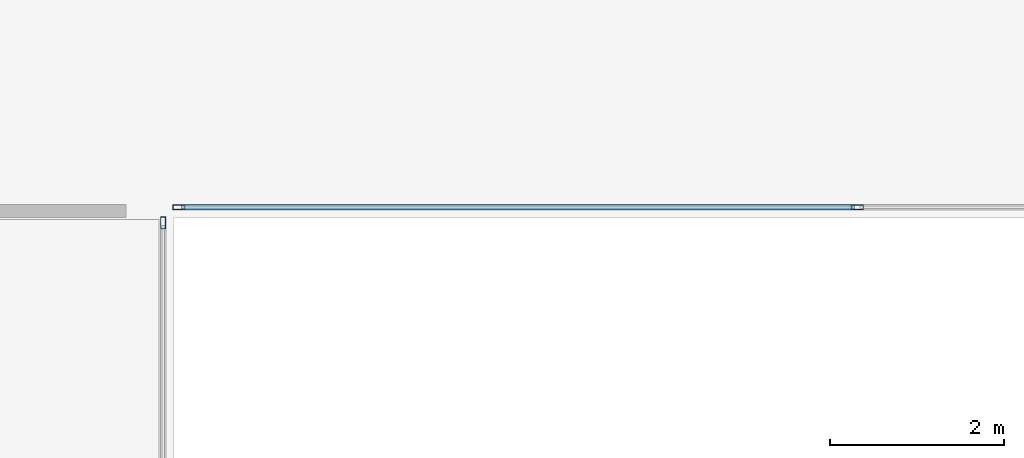
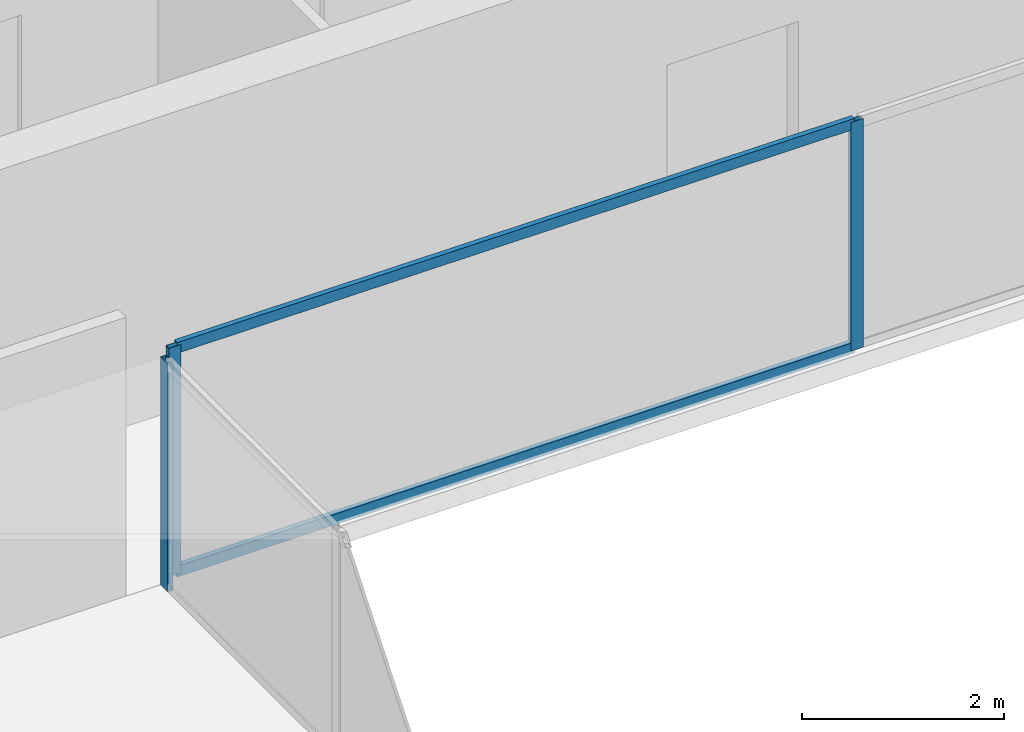
# One storey, part 10 of 29: 5 members, 2 elements without a shape of their own.
"""IFC4 building model written with IfcOpenShell, lengths in metres."""

import ifcopenshell
import ifcopenshell.guid

model = None  # the IFC model being written
_history = None  # IfcOwnerHistory: only IFC2X3 demands one
_inside = {}  # id of a spatial element -> (the spatial element, [elements in it])
_under = {}  # id of a project, library or spatial element -> (it, [spatial elements below it])
_declared = {}  # id of a project -> (the project, [libraries it declares])
_typed = {}  # id of a type object -> (the type object, [elements of that type])
_made_of = {}  # id of a material, layer set ... -> (it, [elements and type objects made of it])


def new_model(schema):
    """Start an empty IFC model of exactly this schema.

    Asked for "IFC4X3", IfcOpenShell would pick the latest addendum, in which some entities
    have other attributes; the version numbers below select the first issue.
    IFC2X3 requires an IfcOwnerHistory on every rooted entity: one is made here for all.
    """
    global model, _history
    if schema == "IFC4X3":
        model = ifcopenshell.file(schema_version=(4, 3, 0, 0))
    else:
        model = ifcopenshell.file(schema=schema)
    _inside.clear()
    _under.clear()
    _declared.clear()
    _typed.clear()
    _made_of.clear()
    _history = None
    if model.schema == "IFC2X3":
        org = make("IfcOrganization", Name="unknown")
        user = make(
            "IfcPersonAndOrganization",
            ThePerson=make("IfcPerson", FamilyName="unknown"),
            TheOrganization=org,
        )
        app = make(
            "IfcApplication",
            ApplicationDeveloper=org,
            Version="unknown",
            ApplicationFullName="unknown",
            ApplicationIdentifier="unknown",
        )
        _history = make(
            "IfcOwnerHistory",
            OwningUser=user,
            OwningApplication=app,
            ChangeAction="ADDED",
            CreationDate=0,
        )
    return model


def make(cls, **values):
    """One entity of the class cls with the attributes given. An attribute that is None is left unset."""
    return model.create_entity(
        cls, **{name: value for name, value in values.items() if value is not None}
    )


def rooted(cls, **values):
    """An entity with a GlobalId (a new one), such as an element, a storey or a relation."""
    return make(cls, GlobalId=ifcopenshell.guid.new(), OwnerHistory=_history, **values)


def si_unit(unit_type, name, prefix=None):
    """IfcSIUnit, for example si_unit("LENGTHUNIT", "METRE", prefix="MILLI")."""
    return make("IfcSIUnit", UnitType=unit_type, Prefix=prefix, Name=name)


def assignment(units):
    """IfcUnitAssignment: the units of a project."""
    return None if units is None else make("IfcUnitAssignment", Units=units)


def point(xyz):
    """IfcCartesianPoint."""
    return None if xyz is None else make("IfcCartesianPoint", Coordinates=xyz)


def direction(xyz):
    """IfcDirection."""
    return None if xyz is None else make("IfcDirection", DirectionRatios=xyz)


def frame(location, z_axis=None, x_axis=None):
    """IfcAxis2Placement3D, a coordinate frame: its origin and axes. An axis left out is left unset."""
    return make(
        "IfcAxis2Placement3D",
        Location=point(location),
        Axis=direction(z_axis),
        RefDirection=direction(x_axis),
    )


def frame_2d(location, x_axis=None):
    """IfcAxis2Placement2D, a coordinate frame in the plane: its origin and x axis."""
    return make(
        "IfcAxis2Placement2D", Location=point(location), RefDirection=direction(x_axis)
    )


def origin():
    """The frame at (0, 0, 0) with its axes left unset."""
    return frame((0.0, 0.0, 0.0))


def origin_2d():
    """The frame at (0, 0) in the plane with its x axis left unset."""
    return frame_2d((0.0, 0.0))


def place(relative_to, where):
    """IfcLocalPlacement: puts the frame where relative to a parent placement (None: the world)."""
    return make(
        "IfcLocalPlacement", PlacementRelTo=relative_to, RelativePlacement=where
    )


def context(
    kind, dimensions, precision=None, world=None, true_north=None, identifier=None
):
    """IfcGeometricRepresentationContext, for example the 3D "Model" context."""
    return make(
        "IfcGeometricRepresentationContext",
        ContextIdentifier=identifier,
        ContextType=kind,
        CoordinateSpaceDimension=dimensions,
        Precision=precision,
        WorldCoordinateSystem=world,
        TrueNorth=true_north,
    )


def subcontext(parent, identifier, kind, view, scale=None):
    """IfcGeometricRepresentationSubContext, for example "Body" below "Model"."""
    return make(
        "IfcGeometricRepresentationSubContext",
        ContextIdentifier=identifier,
        ContextType=kind,
        ParentContext=parent,
        TargetScale=scale,
        TargetView=view,
    )


def project(units=None, contexts=None):
    """IfcProject with its units and contexts."""
    return rooted(
        "IfcProject",
        Name="project",
        RepresentationContexts=contexts,
        UnitsInContext=assignment(units),
    )


def spatial(cls, under=None, at=None, **own):
    """A site, building, storey or space (cls), placed at a placement, below another one or the project."""
    s = rooted(cls, ObjectPlacement=at, **own)
    if under is not None:
        _under.setdefault(under.id(), (under, []))[1].append(s)
    return s


def profile(cls, at=None, kind="AREA", **sizes):
    """A parametric profile (cls). Its sizes go by their IFC names, for example OverallWidth=200.0."""
    return make(cls, ProfileType=kind, Position=at, **sizes)


def hollow_rectangle(**sizes):
    """IfcRectangleHollowProfileDef."""
    return profile("IfcRectangleHollowProfileDef", **sizes)


def extrude(swept, where, along, depth):
    """IfcExtrudedAreaSolid: the profile swept, set in the frame where, extruded along a direction by depth."""
    return make(
        "IfcExtrudedAreaSolid",
        SweptArea=swept,
        Position=where,
        ExtrudedDirection=direction(along),
        Depth=depth,
    )


def shape(context_of_items, identifier, shape_type, items):
    """IfcShapeRepresentation: the items that make up one representation, for example the "Body"."""
    return make(
        "IfcShapeRepresentation",
        ContextOfItems=context_of_items,
        RepresentationIdentifier=identifier,
        RepresentationType=shape_type,
        Items=items,
    )


def source(mapping_origin, context_of_items, identifier, shape_type, items):
    """IfcRepresentationMap: a shape defined once, which mapped items show again and again."""
    return make(
        "IfcRepresentationMap",
        MappingOrigin=mapping_origin,
        MappedRepresentation=shape(context_of_items, identifier, shape_type, items),
    )


def transform(
    local_origin,
    x_axis=None,
    y_axis=None,
    z_axis=None,
    scale=None,
    scale2=None,
    scale3=None,
    uniform=True,
):
    """IfcCartesianTransformationOperator3D, or its non-uniform kind. x_axis, y_axis, z_axis: its Axis1, 2, 3."""
    if uniform:
        return make(
            "IfcCartesianTransformationOperator3D",
            Axis1=direction(x_axis),
            Axis2=direction(y_axis),
            LocalOrigin=point(local_origin),
            Scale=scale,
            Axis3=direction(z_axis),
        )
    return make(
        "IfcCartesianTransformationOperator3DnonUniform",
        Axis1=direction(x_axis),
        Axis2=direction(y_axis),
        LocalOrigin=point(local_origin),
        Scale=scale,
        Axis3=direction(z_axis),
        Scale2=scale2,
        Scale3=scale3,
    )


def mapped(mapping_source, mapping_target):
    """IfcMappedItem: shows the shape of a source again, moved by a transform."""
    return make(
        "IfcMappedItem", MappingSource=mapping_source, MappingTarget=mapping_target
    )


def material(Name=None, Category=None):
    """IfcMaterial."""
    return make("IfcMaterial", Name=Name, Category=Category)


def layer(
    of_material, thickness, ventilated=None, Name=None, Category=None, Priority=None
):
    """IfcMaterialLayer: one layer of a wall or slab, of a material (None: an air gap)."""
    return make(
        "IfcMaterialLayer",
        Material=of_material,
        LayerThickness=thickness,
        IsVentilated=ventilated,
        Name=Name,
        Category=Category,
        Priority=Priority,
    )


def layer_set(layers, Name=None):
    """IfcMaterialLayerSet."""
    return make("IfcMaterialLayerSet", MaterialLayers=layers, LayerSetName=Name)


def material_profile(
    of_material, cross_section, Name=None, Category=None, Priority=None
):
    """IfcMaterialProfile: a cross section and its material."""
    return make(
        "IfcMaterialProfile",
        Name=Name,
        Material=of_material,
        Profile=cross_section,
        Priority=Priority,
        Category=Category,
    )


def profile_set(profiles, Name=None, composite=None):
    """IfcMaterialProfileSet."""
    return make(
        "IfcMaterialProfileSet",
        Name=Name,
        MaterialProfiles=profiles,
        CompositeProfile=composite,
    )


def made_of(thing, what):
    """Note that an element or type object is made of a material, layer set ...; save() writes the relation."""
    if what is not None:
        _made_of.setdefault(what.id(), (what, []))[1].append(thing)
    return thing


def type_object(cls, material=None, **own):
    """A type object (cls), such as IfcWallType, which elements share."""
    return made_of(rooted(cls, **own), material)


def element(
    cls,
    number,
    at=None,
    inside=None,
    cuts=None,
    type_object=None,
    material=None,
    context=None,
    identifier="Body",
    shape_type=None,
    held_by="IfcProductDefinitionShape",
    body=None,
    shapes=None,
    **own,
):
    """One element of the class cls, such as IfcWall. Its Tag is "e" and its number.

    at: its placement. inside: the storey or other place that contains it. cuts: it is an
    opening in that element (IfcRelVoidsElement). A single representation is given by context,
    identifier, shape_type and body (its items); several are given by shapes. held_by: the class
    of the entity that holds the representations. save() writes the other relations.
    """
    e = rooted(cls, Tag="e%d" % number, ObjectPlacement=at, **own)
    if body is not None:
        shapes = [shape(context, identifier, shape_type, body)]
    if shapes is not None:
        e.Representation = make(held_by, Representations=shapes)
    if inside is not None:
        _inside.setdefault(inside.id(), (inside, []))[1].append(e)
    if cuts is not None:
        rooted(
            "IfcRelVoidsElement", RelatingBuildingElement=cuts, RelatedOpeningElement=e
        )
    if type_object is not None:
        _typed.setdefault(type_object.id(), (type_object, []))[1].append(e)
    return made_of(e, material)


def aggregate(whole, parts):
    """IfcRelAggregates: a whole, such as a stair, and the parts it consists of."""
    return rooted("IfcRelAggregates", RelatingObject=whole, RelatedObjects=parts)


def save(model, path):
    """Write the relations noted so far, then the file.

    IfcRelAggregates (storeys below a building ...), IfcRelContainedInSpatialStructure (elements
    in a storey), IfcRelDefinesByType, IfcRelAssociatesMaterial and IfcRelDeclares: one each for
    every whole, place, type object, material and project.
    """
    for whole, parts in _under.values():
        aggregate(whole, parts)
    for where, things in _inside.values():
        rooted(
            "IfcRelContainedInSpatialStructure",
            RelatedElements=things,
            RelatingStructure=where,
        )
    for kind, things in _typed.values():
        rooted("IfcRelDefinesByType", RelatedObjects=things, RelatingType=kind)
    for what, things in _made_of.values():
        rooted("IfcRelAssociatesMaterial", RelatedObjects=things, RelatingMaterial=what)
    for by, libraries in _declared.values():
        rooted("IfcRelDeclares", RelatingContext=by, RelatedDefinitions=libraries)
    model.write(path)


model = new_model("IFC4")

# Units and contexts
model_context = context("Model", 3, precision=1e-05, world=origin(), true_north=direction((0.0, 1.0)))
body_context = subcontext(model_context, "Body", "Model", "MODEL_VIEW")
ifc_project = project(units=[si_unit("LENGTHUNIT", "METRE"), si_unit("AREAUNIT", "SQUARE_METRE"), si_unit("VOLUMEUNIT", "CUBIC_METRE"), si_unit("PLANEANGLEUNIT", "RADIAN"), si_unit("MASSUNIT", "GRAM", prefix="KILO")], contexts=[model_context])

# Site, building, storey
site_placement = place(None, origin())
site = spatial("IfcSite", under=ifc_project, at=site_placement, CompositionType="ELEMENT")
building_placement = place(site_placement, origin())
building = spatial("IfcBuilding", under=site, at=building_placement, Name="Sumidabori Civic Tower", CompositionType="ELEMENT")
storey_placement = place(building_placement, frame((0.0, 0.0, 207.199951171875)))
storey = spatial("IfcBuildingStorey", under=building, at=storey_placement, Name="L53", CompositionType="ELEMENT", Elevation=207.199951171875)

# Curtain wall, member
ifc_material = material(Name="Anodised Bronze Aluminium AW-6063-T6", Category="aluminium")
ifc_layer = layer(ifc_material, 0.179931640625, Name="Anodised Bronze Aluminium AW-6063-T6")
ifc_layer_set = layer_set([ifc_layer], Name="Anodised Bronze Aluminium AW-6063-T6")
curtain_wall_type = type_object("IfcCurtainWallType", Name="CW-SYS-4", PredefinedType="NOTDEFINED", material=ifc_layer_set)
curtain_wall_1_placement = place(storey_placement, origin())
curtain_wall_1 = element("IfcCurtainWall", 1, at=curtain_wall_1_placement, inside=storey, type_object=curtain_wall_type, Name="Curtain Wall CW:L53:R04", PredefinedType="NOTDEFINED")
ifc_material_profile_1 = material_profile(ifc_material, hollow_rectangle(XDim=0.06005859375, YDim=0.139892578125, WallThickness=0.0048828125, at=origin_2d()), Name="ALU MULLION 140x60")
ifc_profile_set_1 = profile_set([ifc_material_profile_1], Name="Anodised Bronze Aluminium AW-6063-T6")
member_type_1 = type_object("IfcMemberType", Name="CW-MUL-140", PredefinedType="MULLION", material=ifc_profile_set_1)
shared_shape_1 = source(origin(), body_context, "Body", "SweptSolid", [
    extrude(hollow_rectangle(XDim=0.06005859375, YDim=0.139892578125, WallThickness=0.0048828125, at=origin_2d()), origin(), (0.0, 0.0, 1.0), 2.760009765625),
])
member_1_placement = place(storey_placement, frame((-7.969970703125, 7.340087890625, 0.0), z_axis=(0.0, 0.0, 1.0), x_axis=(-1.0, 0.0, 0.0)))
member_1 = element("IfcMember", 2, at=member_1_placement, type_object=member_type_1, Name="CW-4 mullion 3", PredefinedType="MULLION", context=body_context, shape_type="MappedRepresentation", body=[
    mapped(shared_shape_1, transform((0.0, 0.0, 0.0), x_axis=(1.0, 0.0, 0.0), y_axis=(0.0, 1.0, 0.0), z_axis=(0.0, 0.0, 1.0), scale=1.0)),
])
aggregate(curtain_wall_1, [member_1])

# Curtain wall, members
curtain_wall_2_placement = place(storey_placement, origin())
curtain_wall_2 = element("IfcCurtainWall", 3, at=curtain_wall_2_placement, inside=storey, type_object=curtain_wall_type, Name="Curtain Wall CW:L53:R05", PredefinedType="NOTDEFINED")
member_2_placement = place(storey_placement, frame((-7.7900390625, 7.52001953125, 0.0), z_axis=(0.0, 0.0, 1.0), x_axis=(0.0, 1.0, 0.0)))
member_2 = element("IfcMember", 4, at=member_2_placement, type_object=member_type_1, Name="CW-4 mullion 1", PredefinedType="MULLION", context=body_context, shape_type="MappedRepresentation", body=[
    mapped(shared_shape_1, transform((0.0, 0.0, 0.0), x_axis=(1.0, 0.0, 0.0), y_axis=(0.0, 1.0, 0.0), z_axis=(0.0, 0.0, 1.0), scale=1.0)),
])
member_3_placement = place(storey_placement, frame((0.0, 7.52001953125, 0.0), z_axis=(0.0, 0.0, 1.0), x_axis=(0.0, 1.0, 0.0)))
member_3 = element("IfcMember", 5, at=member_3_placement, type_object=member_type_1, Name="CW-4 mullion 2", PredefinedType="MULLION", context=body_context, shape_type="MappedRepresentation", body=[
    mapped(shared_shape_1, transform((0.0, 0.0, 0.0), x_axis=(1.0, 0.0, 0.0), y_axis=(0.0, 1.0, 0.0), z_axis=(0.0, 0.0, 1.0), scale=1.0)),
])
ifc_material_profile_2 = material_profile(ifc_material, hollow_rectangle(XDim=0.06005859375, YDim=0.1298828125, WallThickness=0.0048828125, at=origin_2d()), Name="ALU TRANSOM 130x60")
ifc_profile_set_2 = profile_set([ifc_material_profile_2], Name="Anodised Bronze Aluminium AW-6063-T6")
member_type_2 = type_object("IfcMemberType", Name="CW-TRN-130", PredefinedType="USERDEFINED", material=ifc_profile_set_2)
shared_shape_2 = source(origin(), body_context, "Body", "SweptSolid", [
    extrude(hollow_rectangle(XDim=0.06005859375, YDim=0.1298828125, WallThickness=0.0048828125, at=origin_2d()), origin(), (0.0, 0.0, 1.0), 7.72998046875),
])
member_4_placement = place(storey_placement, frame((-7.760009765625, 7.52001953125, 0.030029296875), z_axis=(1.0, 0.0, 0.0), x_axis=(0.0, 1.0, 0.0)))
member_4 = element("IfcMember", 6, at=member_4_placement, type_object=member_type_2, Name="CW-4 transom 1.1", ObjectType="TRANSOM", PredefinedType="USERDEFINED", context=body_context, shape_type="MappedRepresentation", body=[
    mapped(shared_shape_2, transform((0.0, 0.0, 0.0), x_axis=(1.0, 0.0, 0.0), y_axis=(0.0, 1.0, 0.0), z_axis=(0.0, 0.0, 1.0), scale=1.0)),
])
member_5_placement = place(storey_placement, frame((-7.760009765625, 7.52001953125, 2.72998046875), z_axis=(1.0, 0.0, 0.0), x_axis=(0.0, 1.0, 0.0)))
member_5 = element("IfcMember", 7, at=member_5_placement, type_object=member_type_2, Name="CW-4 transom 1.2", ObjectType="TRANSOM", PredefinedType="USERDEFINED", context=body_context, shape_type="MappedRepresentation", body=[
    mapped(shared_shape_2, transform((0.0, 0.0, 0.0), x_axis=(1.0, 0.0, 0.0), y_axis=(0.0, 1.0, 0.0), z_axis=(0.0, 0.0, 1.0), scale=1.0)),
])
aggregate(curtain_wall_2, [member_2, member_3, member_4, member_5])

save(model, "model.ifc")
